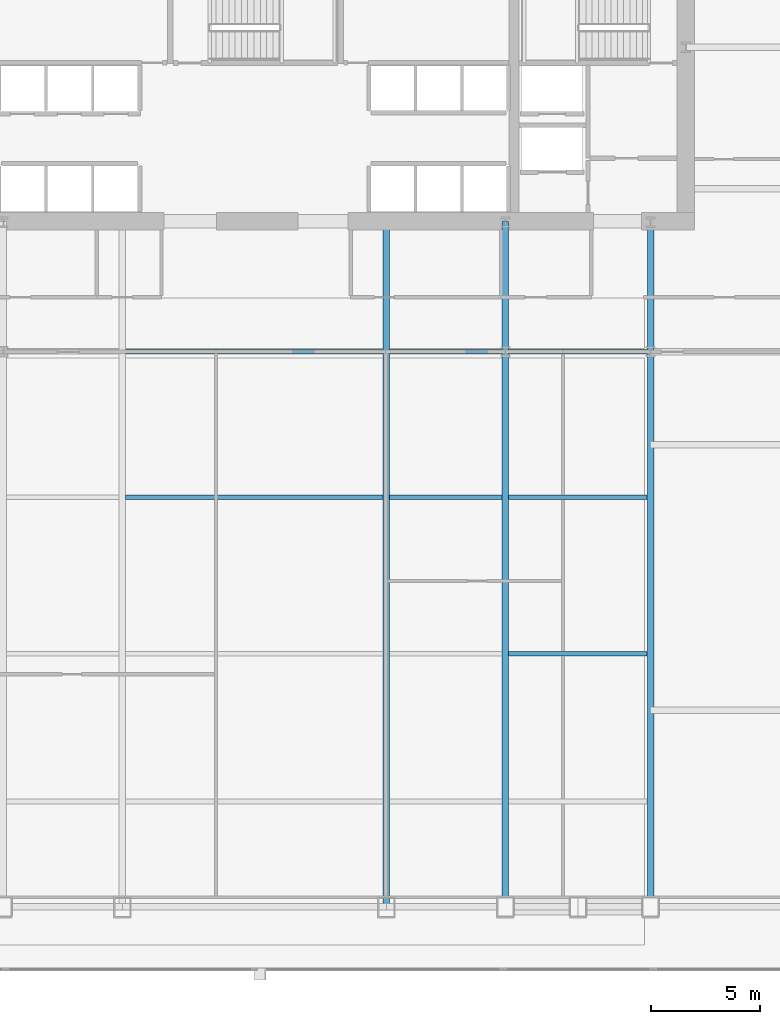
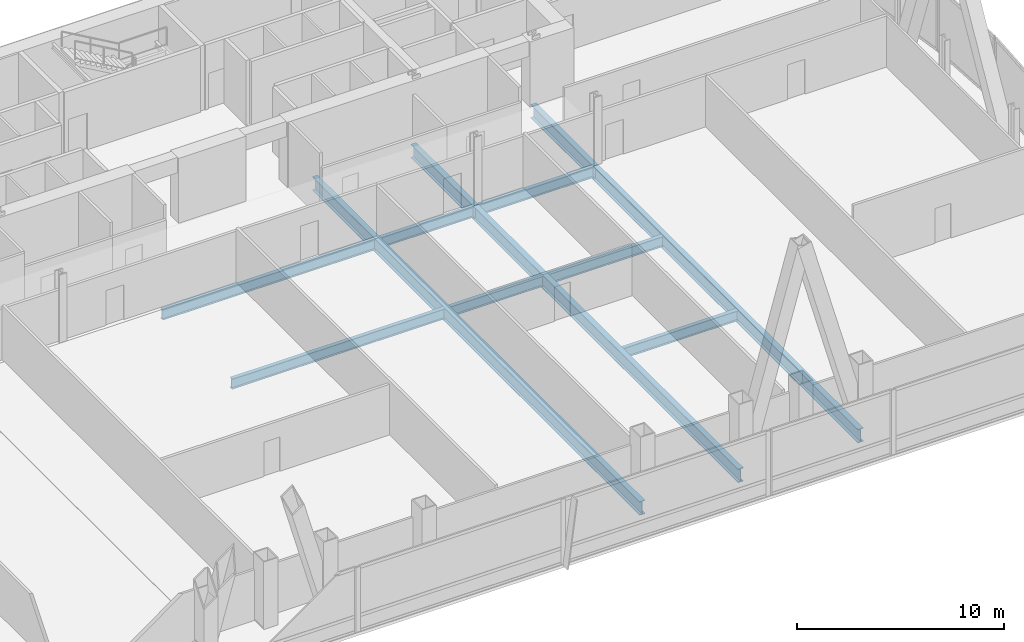
# One storey, part 15 of 37: 12 beams.
"""IFC4 building model written with IfcOpenShell, lengths in metres."""

import ifcopenshell
import ifcopenshell.guid

model = None  # the IFC model being written
_history = None  # IfcOwnerHistory: only IFC2X3 demands one
_inside = {}  # id of a spatial element -> (the spatial element, [elements in it])
_under = {}  # id of a project, library or spatial element -> (it, [spatial elements below it])
_declared = {}  # id of a project -> (the project, [libraries it declares])
_typed = {}  # id of a type object -> (the type object, [elements of that type])
_made_of = {}  # id of a material, layer set ... -> (it, [elements and type objects made of it])


def new_model(schema):
    """Start an empty IFC model of exactly this schema.

    Asked for "IFC4X3", IfcOpenShell would pick the latest addendum, in which some entities
    have other attributes; the version numbers below select the first issue.
    IFC2X3 requires an IfcOwnerHistory on every rooted entity: one is made here for all.
    """
    global model, _history
    if schema == "IFC4X3":
        model = ifcopenshell.file(schema_version=(4, 3, 0, 0))
    else:
        model = ifcopenshell.file(schema=schema)
    _inside.clear()
    _under.clear()
    _declared.clear()
    _typed.clear()
    _made_of.clear()
    _history = None
    if model.schema == "IFC2X3":
        org = make("IfcOrganization", Name="unknown")
        user = make(
            "IfcPersonAndOrganization",
            ThePerson=make("IfcPerson", FamilyName="unknown"),
            TheOrganization=org,
        )
        app = make(
            "IfcApplication",
            ApplicationDeveloper=org,
            Version="unknown",
            ApplicationFullName="unknown",
            ApplicationIdentifier="unknown",
        )
        _history = make(
            "IfcOwnerHistory",
            OwningUser=user,
            OwningApplication=app,
            ChangeAction="ADDED",
            CreationDate=0,
        )
    return model


def make(cls, **values):
    """One entity of the class cls with the attributes given. An attribute that is None is left unset."""
    return model.create_entity(
        cls, **{name: value for name, value in values.items() if value is not None}
    )


def rooted(cls, **values):
    """An entity with a GlobalId (a new one), such as an element, a storey or a relation."""
    return make(cls, GlobalId=ifcopenshell.guid.new(), OwnerHistory=_history, **values)


def si_unit(unit_type, name, prefix=None):
    """IfcSIUnit, for example si_unit("LENGTHUNIT", "METRE", prefix="MILLI")."""
    return make("IfcSIUnit", UnitType=unit_type, Prefix=prefix, Name=name)


def assignment(units):
    """IfcUnitAssignment: the units of a project."""
    return None if units is None else make("IfcUnitAssignment", Units=units)


def point(xyz):
    """IfcCartesianPoint."""
    return None if xyz is None else make("IfcCartesianPoint", Coordinates=xyz)


def direction(xyz):
    """IfcDirection."""
    return None if xyz is None else make("IfcDirection", DirectionRatios=xyz)


def frame(location, z_axis=None, x_axis=None):
    """IfcAxis2Placement3D, a coordinate frame: its origin and axes. An axis left out is left unset."""
    return make(
        "IfcAxis2Placement3D",
        Location=point(location),
        Axis=direction(z_axis),
        RefDirection=direction(x_axis),
    )


def frame_2d(location, x_axis=None):
    """IfcAxis2Placement2D, a coordinate frame in the plane: its origin and x axis."""
    return make(
        "IfcAxis2Placement2D", Location=point(location), RefDirection=direction(x_axis)
    )


def origin():
    """The frame at (0, 0, 0) with its axes left unset."""
    return frame((0.0, 0.0, 0.0))


def origin_2d():
    """The frame at (0, 0) in the plane with its x axis left unset."""
    return frame_2d((0.0, 0.0))


def place(relative_to, where):
    """IfcLocalPlacement: puts the frame where relative to a parent placement (None: the world)."""
    return make(
        "IfcLocalPlacement", PlacementRelTo=relative_to, RelativePlacement=where
    )


def context(
    kind, dimensions, precision=None, world=None, true_north=None, identifier=None
):
    """IfcGeometricRepresentationContext, for example the 3D "Model" context."""
    return make(
        "IfcGeometricRepresentationContext",
        ContextIdentifier=identifier,
        ContextType=kind,
        CoordinateSpaceDimension=dimensions,
        Precision=precision,
        WorldCoordinateSystem=world,
        TrueNorth=true_north,
    )


def subcontext(parent, identifier, kind, view, scale=None):
    """IfcGeometricRepresentationSubContext, for example "Body" below "Model"."""
    return make(
        "IfcGeometricRepresentationSubContext",
        ContextIdentifier=identifier,
        ContextType=kind,
        ParentContext=parent,
        TargetScale=scale,
        TargetView=view,
    )


def project(units=None, contexts=None):
    """IfcProject with its units and contexts."""
    return rooted(
        "IfcProject",
        Name="project",
        RepresentationContexts=contexts,
        UnitsInContext=assignment(units),
    )


def spatial(cls, under=None, at=None, **own):
    """A site, building, storey or space (cls), placed at a placement, below another one or the project."""
    s = rooted(cls, ObjectPlacement=at, **own)
    if under is not None:
        _under.setdefault(under.id(), (under, []))[1].append(s)
    return s


def profile(cls, at=None, kind="AREA", **sizes):
    """A parametric profile (cls). Its sizes go by their IFC names, for example OverallWidth=200.0."""
    return make(cls, ProfileType=kind, Position=at, **sizes)


def i_section(**sizes):
    """IfcIShapeProfileDef."""
    return profile("IfcIShapeProfileDef", **sizes)


def extrude(swept, where, along, depth):
    """IfcExtrudedAreaSolid: the profile swept, set in the frame where, extruded along a direction by depth."""
    return make(
        "IfcExtrudedAreaSolid",
        SweptArea=swept,
        Position=where,
        ExtrudedDirection=direction(along),
        Depth=depth,
    )


def shape(context_of_items, identifier, shape_type, items):
    """IfcShapeRepresentation: the items that make up one representation, for example the "Body"."""
    return make(
        "IfcShapeRepresentation",
        ContextOfItems=context_of_items,
        RepresentationIdentifier=identifier,
        RepresentationType=shape_type,
        Items=items,
    )


def material(Name=None, Category=None):
    """IfcMaterial."""
    return make("IfcMaterial", Name=Name, Category=Category)


def material_profile(
    of_material, cross_section, Name=None, Category=None, Priority=None
):
    """IfcMaterialProfile: a cross section and its material."""
    return make(
        "IfcMaterialProfile",
        Name=Name,
        Material=of_material,
        Profile=cross_section,
        Priority=Priority,
        Category=Category,
    )


def profile_set(profiles, Name=None, composite=None):
    """IfcMaterialProfileSet."""
    return make(
        "IfcMaterialProfileSet",
        Name=Name,
        MaterialProfiles=profiles,
        CompositeProfile=composite,
    )


def made_of(thing, what):
    """Note that an element or type object is made of a material, layer set ...; save() writes the relation."""
    if what is not None:
        _made_of.setdefault(what.id(), (what, []))[1].append(thing)
    return thing


def type_object(cls, material=None, **own):
    """A type object (cls), such as IfcWallType, which elements share."""
    return made_of(rooted(cls, **own), material)


def element(
    cls,
    number,
    at=None,
    inside=None,
    cuts=None,
    type_object=None,
    material=None,
    context=None,
    identifier="Body",
    shape_type=None,
    held_by="IfcProductDefinitionShape",
    body=None,
    shapes=None,
    **own,
):
    """One element of the class cls, such as IfcWall. Its Tag is "e" and its number.

    at: its placement. inside: the storey or other place that contains it. cuts: it is an
    opening in that element (IfcRelVoidsElement). A single representation is given by context,
    identifier, shape_type and body (its items); several are given by shapes. held_by: the class
    of the entity that holds the representations. save() writes the other relations.
    """
    e = rooted(cls, Tag="e%d" % number, ObjectPlacement=at, **own)
    if body is not None:
        shapes = [shape(context, identifier, shape_type, body)]
    if shapes is not None:
        e.Representation = make(held_by, Representations=shapes)
    if inside is not None:
        _inside.setdefault(inside.id(), (inside, []))[1].append(e)
    if cuts is not None:
        rooted(
            "IfcRelVoidsElement", RelatingBuildingElement=cuts, RelatedOpeningElement=e
        )
    if type_object is not None:
        _typed.setdefault(type_object.id(), (type_object, []))[1].append(e)
    return made_of(e, material)


def aggregate(whole, parts):
    """IfcRelAggregates: a whole, such as a stair, and the parts it consists of."""
    return rooted("IfcRelAggregates", RelatingObject=whole, RelatedObjects=parts)


def save(model, path):
    """Write the relations noted so far, then the file.

    IfcRelAggregates (storeys below a building ...), IfcRelContainedInSpatialStructure (elements
    in a storey), IfcRelDefinesByType, IfcRelAssociatesMaterial and IfcRelDeclares: one each for
    every whole, place, type object, material and project.
    """
    for whole, parts in _under.values():
        aggregate(whole, parts)
    for where, things in _inside.values():
        rooted(
            "IfcRelContainedInSpatialStructure",
            RelatedElements=things,
            RelatingStructure=where,
        )
    for kind, things in _typed.values():
        rooted("IfcRelDefinesByType", RelatedObjects=things, RelatingType=kind)
    for what, things in _made_of.values():
        rooted("IfcRelAssociatesMaterial", RelatedObjects=things, RelatingMaterial=what)
    for by, libraries in _declared.values():
        rooted("IfcRelDeclares", RelatingContext=by, RelatedDefinitions=libraries)
    model.write(path)


model = new_model("IFC4")

# Units and contexts
model_context = context("Model", 3, precision=1e-05, world=origin(), true_north=direction((0.0, 1.0)))
body_context = subcontext(model_context, "Body", "Model", "MODEL_VIEW")
ifc_project = project(units=[si_unit("LENGTHUNIT", "METRE"), si_unit("AREAUNIT", "SQUARE_METRE"), si_unit("VOLUMEUNIT", "CUBIC_METRE"), si_unit("PLANEANGLEUNIT", "RADIAN"), si_unit("MASSUNIT", "GRAM", prefix="KILO")], contexts=[model_context])

# Site, building, storey
site_placement = place(None, origin())
site = spatial("IfcSite", under=ifc_project, at=site_placement, CompositionType="ELEMENT")
building_placement = place(site_placement, origin())
building = spatial("IfcBuilding", under=site, at=building_placement, Name="Khoronbel Lancet Exchange", CompositionType="ELEMENT")
storey_placement = place(building_placement, frame((0.0, 0.0, 61.800048828125)))
storey = spatial("IfcBuildingStorey", under=building, at=storey_placement, Name="L14", CompositionType="ELEMENT", Elevation=61.800048828125)

# Beams
ifc_material = material(Name="Steel S355", Category="steel")
ifc_material_profile_1 = material_profile(ifc_material, i_section(OverallWidth=0.300048828125, OverallDepth=0.800048828125, WebThickness=0.017578125, FlangeThickness=0.032958984375, at=origin_2d()), Name="HEB 800")
ifc_profile_set_1 = profile_set([ifc_material_profile_1], Name="Steel S355")
beam_type_1 = type_object("IfcBeamType", Name="BM-BG2", PredefinedType="BEAM", material=ifc_profile_set_1)
beam_1_placement = place(storey_placement, frame((42.52490234375, 10.14990234375, -0.580078125), z_axis=(0.0, 1.0, 0.0), x_axis=(-1.0, 0.0, 0.0)))
element("IfcBeam", 1, at=beam_1_placement, inside=storey, type_object=beam_type_1, Name="Level L14 primary floor girder G4", PredefinedType="BEAM", context=body_context, shape_type="SweptSolid", body=[
    extrude(i_section(OverallWidth=0.300048828125, OverallDepth=0.800048828125, WebThickness=0.017578125, FlangeThickness=0.032958984375, at=origin_2d()), origin(), (0.0, 0.0, 1.0), 31.550048828125),
])
beam_2_placement = place(storey_placement, frame((48.0, 10.14990234375, -0.580078125), z_axis=(0.0, 1.0, 0.0), x_axis=(-1.0, 0.0, 0.0)))
element("IfcBeam", 2, at=beam_2_placement, inside=storey, type_object=beam_type_1, Name="Level L14 south primary girder GS5", PredefinedType="BEAM", context=body_context, shape_type="SweptSolid", body=[
    extrude(i_section(OverallWidth=0.300048828125, OverallDepth=0.800048828125, WebThickness=0.017578125, FlangeThickness=0.032958984375, at=origin_2d()), origin(), (0.0, 0.0, 1.0), 25.550048828125),
])
beam_3_placement = place(storey_placement, frame((48.0, 35.699951171875, -0.580078125), z_axis=(0.0, 1.0, 0.0), x_axis=(-1.0, 0.0, 0.0)))
element("IfcBeam", 3, at=beam_3_placement, inside=storey, type_object=beam_type_1, Name="Level L14 spine tie girder GN5", PredefinedType="BEAM", context=body_context, shape_type="SweptSolid", body=[
    extrude(i_section(OverallWidth=0.300048828125, OverallDepth=0.800048828125, WebThickness=0.017578125, FlangeThickness=0.032958984375, at=origin_2d()), origin(), (0.0, 0.0, 1.0), 6.0),
])
beam_4_placement = place(storey_placement, frame((54.675048828125, 10.14990234375, -0.580078125), z_axis=(0.0, 1.0, 0.0), x_axis=(-1.0, 0.0, 0.0)))
element("IfcBeam", 4, at=beam_4_placement, inside=storey, type_object=beam_type_1, Name="Level L14 south primary girder GS6", PredefinedType="BEAM", context=body_context, shape_type="SweptSolid", body=[
    extrude(i_section(OverallWidth=0.300048828125, OverallDepth=0.800048828125, WebThickness=0.017578125, FlangeThickness=0.032958984375, at=origin_2d()), origin(), (0.0, 0.0, 1.0), 25.550048828125),
])
beam_5_placement = place(storey_placement, frame((54.675048828125, 35.699951171875, -0.580078125), z_axis=(0.0, 1.0, 0.0), x_axis=(-1.0, 0.0, 0.0)))
element("IfcBeam", 5, at=beam_5_placement, inside=storey, type_object=beam_type_1, Name="Level L14 spine tie girder GN6", PredefinedType="BEAM", context=body_context, shape_type="SweptSolid", body=[
    extrude(i_section(OverallWidth=0.300048828125, OverallDepth=0.800048828125, WebThickness=0.017578125, FlangeThickness=0.032958984375, at=origin_2d()), origin(), (0.0, 0.0, 1.0), 6.0),
])
ifc_material_profile_2 = material_profile(ifc_material, i_section(OverallWidth=0.219970703125, OverallDepth=0.60009765625, WebThickness=0.011962890625, FlangeThickness=0.01904296875, at=origin_2d()), Name="IPE 600")
ifc_profile_set_2 = profile_set([ifc_material_profile_2], Name="Steel S355")
beam_type_2 = type_object("IfcBeamType", Name="BM-BJ1", PredefinedType="JOIST", material=ifc_profile_set_2)
beam_6_placement = place(storey_placement, frame((48.14990234375, 21.800048828125, -0.47998046875), z_axis=(1.0, 0.0, 0.0), x_axis=(0.0, 1.0, 0.0)))
element("IfcBeam", 6, at=beam_6_placement, inside=storey, type_object=beam_type_2, Name="Level L14 secondary composite joist J10", PredefinedType="JOIST", context=body_context, shape_type="SweptSolid", body=[
    extrude(i_section(OverallWidth=0.219970703125, OverallDepth=0.60009765625, WebThickness=0.011962890625, FlangeThickness=0.01904296875, at=origin_2d()), origin(), (0.0, 0.0, 1.0), 6.375),
])
beam_7_placement = place(storey_placement, frame((30.52490234375, 29.0, -0.47998046875), z_axis=(1.0, 0.0, 0.0), x_axis=(0.0, 1.0, 0.0)))
element("IfcBeam", 7, at=beam_7_placement, inside=storey, type_object=beam_type_2, Name="Level L14 secondary composite joist J13", PredefinedType="JOIST", context=body_context, shape_type="SweptSolid", body=[
    extrude(i_section(OverallWidth=0.219970703125, OverallDepth=0.60009765625, WebThickness=0.011962890625, FlangeThickness=0.01904296875, at=origin_2d()), origin(), (0.0, 0.0, 1.0), 11.85009765625),
])
beam_8_placement = place(storey_placement, frame((42.675048828125, 29.0, -0.47998046875), z_axis=(1.0, 0.0, 0.0), x_axis=(0.0, 1.0, 0.0)))
element("IfcBeam", 8, at=beam_8_placement, inside=storey, type_object=beam_type_2, Name="Level L14 secondary composite joist J14", PredefinedType="JOIST", context=body_context, shape_type="SweptSolid", body=[
    extrude(i_section(OverallWidth=0.219970703125, OverallDepth=0.60009765625, WebThickness=0.011962890625, FlangeThickness=0.01904296875, at=origin_2d()), origin(), (0.0, 0.0, 1.0), 5.175048828125),
])
beam_9_placement = place(storey_placement, frame((48.14990234375, 29.0, -0.47998046875), z_axis=(1.0, 0.0, 0.0), x_axis=(0.0, 1.0, 0.0)))
element("IfcBeam", 9, at=beam_9_placement, inside=storey, type_object=beam_type_2, Name="Level L14 secondary composite joist J15", PredefinedType="JOIST", context=body_context, shape_type="SweptSolid", body=[
    extrude(i_section(OverallWidth=0.219970703125, OverallDepth=0.60009765625, WebThickness=0.011962890625, FlangeThickness=0.01904296875, at=origin_2d()), origin(), (0.0, 0.0, 1.0), 6.375),
])
beam_10_placement = place(storey_placement, frame((30.52490234375, 35.699951171875, -0.47998046875), z_axis=(1.0, 0.0, 0.0), x_axis=(0.0, 1.0, 0.0)))
element("IfcBeam", 10, at=beam_10_placement, inside=storey, type_object=beam_type_2, Name="Level L14 secondary composite joist J18", PredefinedType="JOIST", context=body_context, shape_type="SweptSolid", body=[
    extrude(i_section(OverallWidth=0.219970703125, OverallDepth=0.60009765625, WebThickness=0.011962890625, FlangeThickness=0.01904296875, at=origin_2d()), origin(), (0.0, 0.0, 1.0), 11.85009765625),
])
beam_11_placement = place(storey_placement, frame((42.675048828125, 35.699951171875, -0.47998046875), z_axis=(1.0, 0.0, 0.0), x_axis=(0.0, 1.0, 0.0)))
element("IfcBeam", 11, at=beam_11_placement, inside=storey, type_object=beam_type_2, Name="Level L14 secondary composite joist J19", PredefinedType="JOIST", context=body_context, shape_type="SweptSolid", body=[
    extrude(i_section(OverallWidth=0.219970703125, OverallDepth=0.60009765625, WebThickness=0.011962890625, FlangeThickness=0.01904296875, at=origin_2d()), origin(), (0.0, 0.0, 1.0), 5.175048828125),
])
beam_12_placement = place(storey_placement, frame((48.14990234375, 35.699951171875, -0.47998046875), z_axis=(1.0, 0.0, 0.0), x_axis=(0.0, 1.0, 0.0)))
element("IfcBeam", 12, at=beam_12_placement, inside=storey, type_object=beam_type_2, Name="Level L14 secondary composite joist J20", PredefinedType="JOIST", context=body_context, shape_type="SweptSolid", body=[
    extrude(i_section(OverallWidth=0.219970703125, OverallDepth=0.60009765625, WebThickness=0.011962890625, FlangeThickness=0.01904296875, at=origin_2d()), origin(), (0.0, 0.0, 1.0), 6.375),
])

save(model, "model.ifc")
